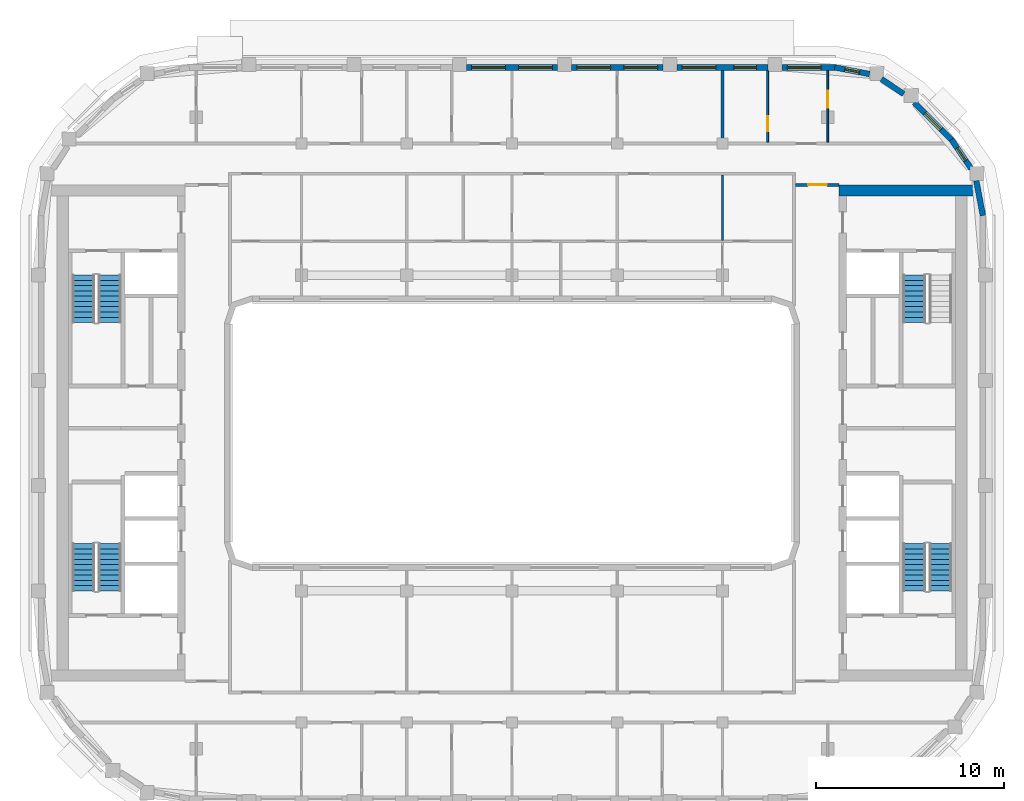
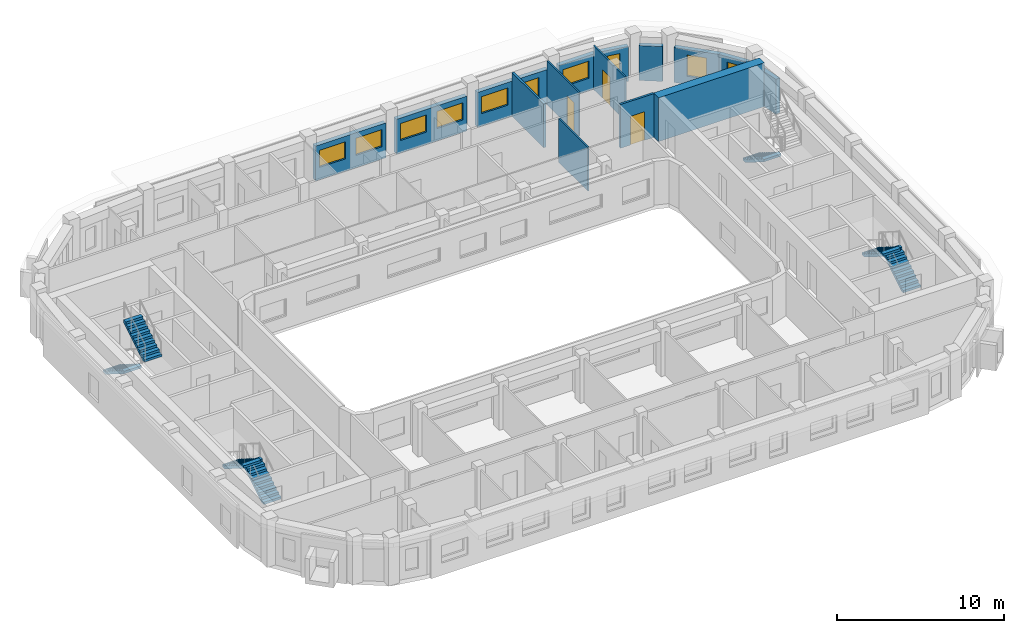
# One storey, part 8 of 16: 15 walls, 10 windows, 7 stair flights, 3 doors, 13 openings, 4 elements without a shape of their own.
"""IFC4 building model written with IfcOpenShell, lengths in metres."""

from ifc_helpers import new_model, si_unit, direction, frame, frame_2d, origin, place, context, subcontext, project, spatial, polyline, rectangle, outline, extrude, material, layer, layer_set, type_object, element, fill, aggregate, save


model = new_model("IFC4")

# Units and contexts
model_context = context("Model", 3, precision=1e-05, world=origin(), true_north=direction((0.0, 1.0)))
body_context = subcontext(model_context, "Body", "Model", "MODEL_VIEW")
ifc_project = project(units=[si_unit("LENGTHUNIT", "METRE"), si_unit("AREAUNIT", "SQUARE_METRE"), si_unit("VOLUMEUNIT", "CUBIC_METRE"), si_unit("PLANEANGLEUNIT", "RADIAN"), si_unit("MASSUNIT", "GRAM", prefix="KILO")], contexts=[model_context])

# Site, building, storey
site_placement = place(None, origin())
site = spatial("IfcSite", under=ifc_project, at=site_placement, CompositionType="ELEMENT")
building_placement = place(site_placement, origin())
building = spatial("IfcBuilding", under=site, at=building_placement, Name="Kiln Ring Residences", CompositionType="ELEMENT")
storey_placement = place(building_placement, frame((0.0, 0.0, 276.699951171875)))
storey = spatial("IfcBuildingStorey", under=building, at=storey_placement, Name="L72", CompositionType="ELEMENT", Elevation=276.699951171875)

# Walls
ifc_material_1 = material(Name="Concrete C60/75", Category="concrete")
ifc_layer_1 = layer(ifc_material_1, 0.60009765625)
ifc_layer_set_1 = layer_set([ifc_layer_1], Name="CORE-WALL-RC600")
wall_type_1 = type_object("IfcWallType", Name="CORE-WALL-RC600", PredefinedType="SHEAR", material=ifc_layer_set_1)
wall_1_placement = place(storey_placement, frame((17.39990234375, 12.89990234375, 0.0), z_axis=(0.0, 0.0, 1.0), x_axis=(1.0, 0.0, 0.0)))
element("IfcWall", 1, at=wall_1_placement, inside=storey, type_object=wall_type_1, Name="Core wall east L72 4", PredefinedType="SHEAR", context=body_context, shape_type="SweptSolid", body=[
    extrude(rectangle(XDim=7.320068359375, YDim=0.60009765625, at=frame_2d((3.66015625, 0.0))), origin(), (0.0, 0.0, 1.0), 3.199951171875),
])
ifc_material_2 = material(Name="Brick masonry, dark clay brick", Category="masonry")
ifc_layer_2 = layer(ifc_material_2, 0.300048828125)
ifc_layer_set_2 = layer_set([ifc_layer_2], Name="EW-300 BRICK WALL")
wall_type_2 = type_object("IfcWallType", Name="EW-300 BRICK WALL", PredefinedType="SOLIDWALL", material=ifc_layer_set_2)
wall_2_placement = place(storey_placement, frame((25.052734375, 11.57177734375, 0.0), z_axis=(0.0, 0.0, 1.0), x_axis=(-0.187398348234, 0.982284001233, 0.0)))
element("IfcWall", 2, at=wall_2_placement, inside=storey, type_object=wall_type_2, Name="Facade wall L72 21", PredefinedType="SOLIDWALL", context=body_context, shape_type="SweptSolid", body=[
    extrude(rectangle(XDim=1.88134765625, YDim=0.300048828125, at=frame_2d((0.940673828125, 0.0))), origin(), (0.0, 0.0, 1.0), 2.550048828125),
])

# Wall, opening, window
wall_3_placement = place(storey_placement, frame((24.436279296875, 14.056884765625, 0.0), z_axis=(0.0, 0.0, 1.0), x_axis=(-0.562075713892, 0.827085782645, 0.0)))
wall_3 = element("IfcWall", 3, at=wall_3_placement, inside=storey, type_object=wall_type_2, Name="Facade wall L72 22", PredefinedType="SOLIDWALL", context=body_context, shape_type="SweptSolid", body=[
    extrude(rectangle(XDim=1.881103515625, YDim=0.300048828125, at=frame_2d((0.9404296875, 0.0))), origin(), (0.0, 0.0, 1.0), 2.550048828125),
])
opening_1_placement = place(wall_3_placement, frame((0.54052734375, 0.0, 0.60009765625)))
opening_1 = element("IfcOpeningElement", 4, at=opening_1_placement, cuts=wall_3, Name="Opening W5", PredefinedType="OPENING", context=body_context, shape_type="SweptSolid", body=[
    extrude(rectangle(XDim=0.800048828125, YDim=1.550048828125, at=frame_2d((0.39990234375, 0.77490234375))), frame((0.0, 0.159912109375, 0.0), z_axis=(0.0, -1.0, 0.0), x_axis=(1.0, 0.0, 0.0)), (0.0, 0.0, 1.0), 0.320068359375),
])
ifc_material_3 = material(Name="Aluminium frame with double glazing", Category="aluminium")
window_type_1 = type_object("IfcWindowType", Name="WINDOW 800 x 1550", PartitioningType="SINGLE_PANEL", PredefinedType="WINDOW", material=ifc_material_3)
window_1_placement = place(opening_1_placement, origin())
window_1 = element("IfcWindow", 5, at=window_1_placement, inside=storey, type_object=window_type_1, Name="Window L72 18", OverallHeight=1.550048828125, OverallWidth=0.800048828125, PartitioningType="SINGLE_PANEL", PredefinedType="WINDOW", context=body_context, shape_type="SweptSolid", body=[
    extrude(rectangle(XDim=0.800048828125, YDim=1.550048828125, at=frame_2d((0.39990234375, 0.77490234375))), frame((0.0, 0.030029296875, 0.0), z_axis=(0.0, -1.0, 0.0), x_axis=(1.0, 0.0, 0.0)), (0.0, 0.0, 1.0), 0.06005859375),
])
fill(opening_1, window_1)

wall_4_placement = place(storey_placement, frame((23.39697265625, 15.591064453125, 0.0), z_axis=(0.0, 0.0, 1.0), x_axis=(-0.707106781187, 0.707106781187, 0.0)))
wall_4 = element("IfcWall", 6, at=wall_4_placement, inside=storey, type_object=wall_type_2, Name="Facade wall L72 23", PredefinedType="SOLIDWALL", context=body_context, shape_type="SweptSolid", body=[
    extrude(rectangle(XDim=2.824951171875, YDim=0.300048828125, at=frame_2d((1.41259765625, 0.0))), origin(), (0.0, 0.0, 1.0), 2.550048828125),
])
opening_2_placement = place(wall_4_placement, frame((0.8125, 0.0, 0.60009765625)))
opening_2 = element("IfcOpeningElement", 7, at=opening_2_placement, cuts=wall_4, Name="Opening W1", PredefinedType="OPENING", context=body_context, shape_type="SweptSolid", body=[
    extrude(rectangle(XDim=1.199951171875, YDim=1.550048828125, at=frame_2d((0.60009765625, 0.77490234375))), frame((0.0, 0.159912109375, 0.0), z_axis=(0.0, -1.0, 0.0), x_axis=(1.0, 0.0, 0.0)), (0.0, 0.0, 1.0), 0.320068359375),
])
ifc_material_4 = material(Name="Aluminium frame with double glazing", Category="aluminium")
window_type_2 = type_object("IfcWindowType", Name="WINDOW 1200 x 1550", PartitioningType="SINGLE_PANEL", PredefinedType="WINDOW", material=ifc_material_4)
window_2_placement = place(opening_2_placement, origin())
window_2 = element("IfcWindow", 8, at=window_2_placement, inside=storey, type_object=window_type_2, Name="Window L72 19", OverallHeight=1.550048828125, OverallWidth=1.199951171875, PartitioningType="SINGLE_PANEL", PredefinedType="WINDOW", context=body_context, shape_type="SweptSolid", body=[
    extrude(rectangle(XDim=1.199951171875, YDim=1.550048828125, at=frame_2d((0.60009765625, 0.77490234375))), frame((0.0, 0.030029296875, 0.0), z_axis=(0.0, -1.0, 0.0), x_axis=(1.0, 0.0, 0.0)), (0.0, 0.0, 1.0), 0.06005859375),
])
fill(opening_2, window_2)

# Wall
wall_5_placement = place(storey_placement, frame((20.837158203125, 18.0341796875, 0.0), z_axis=(0.0, 0.0, 1.0), x_axis=(-0.827095130818, 0.562061957952, 0.0)))
element("IfcWall", 9, at=wall_5_placement, inside=storey, type_object=wall_type_2, Name="Facade wall L72 24", PredefinedType="SOLIDWALL", context=body_context, shape_type="SweptSolid", body=[
    extrude(rectangle(XDim=1.427001953125, YDim=0.300048828125, at=frame_2d((0.71337890625, 0.0))), origin(), (0.0, 0.0, 1.0), 2.550048828125),
])

# Wall, opening, window
wall_6_placement = place(storey_placement, frame((19.019775390625, 19.10009765625, 0.0), z_axis=(0.0, 0.0, 1.0), x_axis=(-0.982284001233, 0.187398348234, 0.0)))
wall_6 = element("IfcWall", 10, at=wall_6_placement, inside=storey, type_object=wall_type_2, Name="Facade wall L72 25", PredefinedType="SOLIDWALL", context=body_context, shape_type="SweptSolid", body=[
    extrude(rectangle(XDim=1.88134765625, YDim=0.300048828125, at=frame_2d((0.940673828125, 0.0))), origin(), (0.0, 0.0, 1.0), 2.550048828125),
])
opening_3_placement = place(wall_6_placement, frame((0.54052734375, 0.0, 0.60009765625)))
opening_3 = element("IfcOpeningElement", 11, at=opening_3_placement, cuts=wall_6, Name="Opening W5", PredefinedType="OPENING", context=body_context, shape_type="SweptSolid", body=[
    extrude(rectangle(XDim=0.800048828125, YDim=1.550048828125, at=frame_2d((0.39990234375, 0.77490234375))), frame((0.0, 0.159912109375, 0.0), z_axis=(0.0, -1.0, 0.0), x_axis=(1.0, 0.0, 0.0)), (0.0, 0.0, 1.0), 0.320068359375),
])
window_3_placement = place(opening_3_placement, origin())
window_3 = element("IfcWindow", 12, at=window_3_placement, inside=storey, type_object=window_type_1, Name="Window L72 20", OverallHeight=1.550048828125, OverallWidth=0.800048828125, PartitioningType="SINGLE_PANEL", PredefinedType="WINDOW", context=body_context, shape_type="SweptSolid", body=[
    extrude(rectangle(XDim=0.800048828125, YDim=1.550048828125, at=frame_2d((0.39990234375, 0.77490234375))), frame((0.0, 0.030029296875, 0.0), z_axis=(0.0, -1.0, 0.0), x_axis=(1.0, 0.0, 0.0)), (0.0, 0.0, 1.0), 0.06005859375),
])
fill(opening_3, window_3)

wall_7_placement = place(storey_placement, frame((17.199951171875, 19.449951171875, 0.0), z_axis=(0.0, 0.0, 1.0), x_axis=(-1.0, 0.0, 0.0)))
wall_7 = element("IfcWall", 13, at=wall_7_placement, inside=storey, type_object=wall_type_2, Name="Facade wall L72 26", PredefinedType="SOLIDWALL", context=body_context, shape_type="SweptSolid", body=[
    extrude(rectangle(XDim=2.824951171875, YDim=0.300048828125, at=frame_2d((1.41259765625, 0.0))), origin(), (0.0, 0.0, 1.0), 2.550048828125),
])
opening_4_placement = place(wall_7_placement, frame((0.75, 0.0, 0.89990234375)))
opening_4 = element("IfcOpeningElement", 14, at=opening_4_placement, cuts=wall_7, Name="Opening W2", PredefinedType="OPENING", context=body_context, shape_type="SweptSolid", body=[
    extrude(rectangle(XDim=1.800048828125, YDim=1.25, at=frame_2d((0.89990234375, 0.625))), frame((0.0, 0.159912109375, 0.0), z_axis=(0.0, -1.0, 0.0), x_axis=(1.0, 0.0, 0.0)), (0.0, 0.0, 1.0), 0.320068359375),
])
ifc_material_5 = material(Name="Aluminium frame with double glazing", Category="aluminium")
window_type_3 = type_object("IfcWindowType", Name="WINDOW 1800 x 1250", PartitioningType="SINGLE_PANEL", PredefinedType="WINDOW", material=ifc_material_5)
window_4_placement = place(opening_4_placement, origin())
window_4 = element("IfcWindow", 15, at=window_4_placement, inside=storey, type_object=window_type_3, Name="Window L72 21", OverallHeight=1.25, OverallWidth=1.800048828125, PartitioningType="SINGLE_PANEL", PredefinedType="WINDOW", context=body_context, shape_type="SweptSolid", body=[
    extrude(rectangle(XDim=1.800048828125, YDim=1.25, at=frame_2d((0.89990234375, 0.625))), frame((0.0, 0.030029296875, 0.0), z_axis=(0.0, -1.0, 0.0), x_axis=(1.0, 0.0, 0.0)), (0.0, 0.0, 1.0), 0.06005859375),
])
fill(opening_4, window_4)

# Wall, openings, windows
wall_8_placement = place(storey_placement, frame((13.625, 19.449951171875, 0.0), z_axis=(0.0, 0.0, 1.0), x_axis=(-1.0, 0.0, 0.0)))
wall_8 = element("IfcWall", 16, at=wall_8_placement, inside=storey, type_object=wall_type_2, Name="Facade wall L72 27", PredefinedType="SOLIDWALL", context=body_context, shape_type="SweptSolid", body=[
    extrude(rectangle(XDim=4.85009765625, YDim=0.300048828125, at=frame_2d((2.425048828125, 0.0))), origin(), (0.0, 0.0, 1.0), 2.550048828125),
])
opening_5_placement = place(wall_8_placement, frame((0.625, 0.0, 0.60009765625)))
opening_5 = element("IfcOpeningElement", 17, at=opening_5_placement, cuts=wall_8, Name="Opening W1", PredefinedType="OPENING", context=body_context, shape_type="SweptSolid", body=[
    extrude(rectangle(XDim=1.199951171875, YDim=1.550048828125, at=frame_2d((0.60009765625, 0.77490234375))), frame((0.0, 0.159912109375, 0.0), z_axis=(0.0, -1.0, 0.0), x_axis=(1.0, 0.0, 0.0)), (0.0, 0.0, 1.0), 0.320068359375),
])
opening_6_placement = place(wall_8_placement, frame((2.77490234375, 0.0, 0.89990234375)))
opening_6 = element("IfcOpeningElement", 18, at=opening_6_placement, cuts=wall_8, Name="Opening W2", PredefinedType="OPENING", context=body_context, shape_type="SweptSolid", body=[
    extrude(rectangle(XDim=1.800048828125, YDim=1.25, at=frame_2d((0.89990234375, 0.625))), frame((0.0, 0.159912109375, 0.0), z_axis=(0.0, -1.0, 0.0), x_axis=(1.0, 0.0, 0.0)), (0.0, 0.0, 1.0), 0.320068359375),
])
window_5_placement = place(opening_5_placement, origin())
window_5 = element("IfcWindow", 19, at=window_5_placement, inside=storey, type_object=window_type_2, Name="Window L72 22", OverallHeight=1.550048828125, OverallWidth=1.199951171875, PartitioningType="SINGLE_PANEL", PredefinedType="WINDOW", context=body_context, shape_type="SweptSolid", body=[
    extrude(rectangle(XDim=1.199951171875, YDim=1.550048828125, at=frame_2d((0.60009765625, 0.77490234375))), frame((0.0, 0.030029296875, 0.0), z_axis=(0.0, -1.0, 0.0), x_axis=(1.0, 0.0, 0.0)), (0.0, 0.0, 1.0), 0.06005859375),
])
fill(opening_5, window_5)
window_6_placement = place(opening_6_placement, origin())
window_6 = element("IfcWindow", 20, at=window_6_placement, inside=storey, type_object=window_type_3, Name="Window L72 23", OverallHeight=1.25, OverallWidth=1.800048828125, PartitioningType="SINGLE_PANEL", PredefinedType="WINDOW", context=body_context, shape_type="SweptSolid", body=[
    extrude(rectangle(XDim=1.800048828125, YDim=1.25, at=frame_2d((0.89990234375, 0.625))), frame((0.0, 0.030029296875, 0.0), z_axis=(0.0, -1.0, 0.0), x_axis=(1.0, 0.0, 0.0)), (0.0, 0.0, 1.0), 0.06005859375),
])
fill(opening_6, window_6)

wall_9_placement = place(storey_placement, frame((8.02490234375, 19.449951171875, 0.0), z_axis=(0.0, 0.0, 1.0), x_axis=(-1.0, 0.0, 0.0)))
wall_9 = element("IfcWall", 21, at=wall_9_placement, inside=storey, type_object=wall_type_2, Name="Facade wall L72 28", PredefinedType="SOLIDWALL", context=body_context, shape_type="SweptSolid", body=[
    extrude(rectangle(XDim=4.849853515625, YDim=0.300048828125, at=frame_2d((2.4248046875, 0.0))), origin(), (0.0, 0.0, 1.0), 2.550048828125),
])
opening_7_placement = place(wall_9_placement, frame((0.27490234375, 0.0, 0.89990234375)))
opening_7 = element("IfcOpeningElement", 22, at=opening_7_placement, cuts=wall_9, Name="Opening W2", PredefinedType="OPENING", context=body_context, shape_type="SweptSolid", body=[
    extrude(rectangle(XDim=1.800048828125, YDim=1.25, at=frame_2d((0.89990234375, 0.625))), frame((0.0, 0.159912109375, 0.0), z_axis=(0.0, -1.0, 0.0), x_axis=(1.0, 0.0, 0.0)), (0.0, 0.0, 1.0), 0.320068359375),
])
opening_8_placement = place(wall_9_placement, frame((2.77490234375, 0.0, 0.89990234375)))
opening_8 = element("IfcOpeningElement", 23, at=opening_8_placement, cuts=wall_9, Name="Opening W2", PredefinedType="OPENING", context=body_context, shape_type="SweptSolid", body=[
    extrude(rectangle(XDim=1.800048828125, YDim=1.25, at=frame_2d((0.89990234375, 0.625))), frame((0.0, 0.159912109375, 0.0), z_axis=(0.0, -1.0, 0.0), x_axis=(1.0, 0.0, 0.0)), (0.0, 0.0, 1.0), 0.320068359375),
])
window_7_placement = place(opening_7_placement, origin())
window_7 = element("IfcWindow", 24, at=window_7_placement, inside=storey, type_object=window_type_3, Name="Window L72 24", OverallHeight=1.25, OverallWidth=1.800048828125, PartitioningType="SINGLE_PANEL", PredefinedType="WINDOW", context=body_context, shape_type="SweptSolid", body=[
    extrude(rectangle(XDim=1.800048828125, YDim=1.25, at=frame_2d((0.89990234375, 0.625))), frame((0.0, 0.030029296875, 0.0), z_axis=(0.0, -1.0, 0.0), x_axis=(1.0, 0.0, 0.0)), (0.0, 0.0, 1.0), 0.06005859375),
])
fill(opening_7, window_7)
window_8_placement = place(opening_8_placement, origin())
window_8 = element("IfcWindow", 25, at=window_8_placement, inside=storey, type_object=window_type_3, Name="Window L72 25", OverallHeight=1.25, OverallWidth=1.800048828125, PartitioningType="SINGLE_PANEL", PredefinedType="WINDOW", context=body_context, shape_type="SweptSolid", body=[
    extrude(rectangle(XDim=1.800048828125, YDim=1.25, at=frame_2d((0.89990234375, 0.625))), frame((0.0, 0.030029296875, 0.0), z_axis=(0.0, -1.0, 0.0), x_axis=(1.0, 0.0, 0.0)), (0.0, 0.0, 1.0), 0.06005859375),
])
fill(opening_8, window_8)

wall_10_placement = place(storey_placement, frame((2.425048828125, 19.449951171875, 0.0), z_axis=(0.0, 0.0, 1.0), x_axis=(-1.0, 0.0, 0.0)))
wall_10 = element("IfcWall", 26, at=wall_10_placement, inside=storey, type_object=wall_type_2, Name="Facade wall L72 29", PredefinedType="SOLIDWALL", context=body_context, shape_type="SweptSolid", body=[
    extrude(rectangle(XDim=4.85009765625, YDim=0.300048828125, at=frame_2d((2.425048828125, 0.0))), origin(), (0.0, 0.0, 1.0), 2.550048828125),
])
opening_9_placement = place(wall_10_placement, frame((0.27490234375, 0.0, 0.89990234375)))
opening_9 = element("IfcOpeningElement", 27, at=opening_9_placement, cuts=wall_10, Name="Opening W2", PredefinedType="OPENING", context=body_context, shape_type="SweptSolid", body=[
    extrude(rectangle(XDim=1.800048828125, YDim=1.25, at=frame_2d((0.89990234375, 0.625))), frame((0.0, 0.159912109375, 0.0), z_axis=(0.0, -1.0, 0.0), x_axis=(1.0, 0.0, 0.0)), (0.0, 0.0, 1.0), 0.320068359375),
])
opening_10_placement = place(wall_10_placement, frame((2.77490234375, 0.0, 0.89990234375)))
opening_10 = element("IfcOpeningElement", 28, at=opening_10_placement, cuts=wall_10, Name="Opening W2", PredefinedType="OPENING", context=body_context, shape_type="SweptSolid", body=[
    extrude(rectangle(XDim=1.800048828125, YDim=1.25, at=frame_2d((0.89990234375, 0.625))), frame((0.0, 0.159912109375, 0.0), z_axis=(0.0, -1.0, 0.0), x_axis=(1.0, 0.0, 0.0)), (0.0, 0.0, 1.0), 0.320068359375),
])
window_9_placement = place(opening_9_placement, origin())
window_9 = element("IfcWindow", 29, at=window_9_placement, inside=storey, type_object=window_type_3, Name="Window L72 26", OverallHeight=1.25, OverallWidth=1.800048828125, PartitioningType="SINGLE_PANEL", PredefinedType="WINDOW", context=body_context, shape_type="SweptSolid", body=[
    extrude(rectangle(XDim=1.800048828125, YDim=1.25, at=frame_2d((0.89990234375, 0.625))), frame((0.0, 0.030029296875, 0.0), z_axis=(0.0, -1.0, 0.0), x_axis=(1.0, 0.0, 0.0)), (0.0, 0.0, 1.0), 0.06005859375),
])
fill(opening_9, window_9)
window_10_placement = place(opening_10_placement, origin())
window_10 = element("IfcWindow", 30, at=window_10_placement, inside=storey, type_object=window_type_3, Name="Window L72 27", OverallHeight=1.25, OverallWidth=1.800048828125, PartitioningType="SINGLE_PANEL", PredefinedType="WINDOW", context=body_context, shape_type="SweptSolid", body=[
    extrude(rectangle(XDim=1.800048828125, YDim=1.25, at=frame_2d((0.89990234375, 0.625))), frame((0.0, 0.030029296875, 0.0), z_axis=(0.0, -1.0, 0.0), x_axis=(1.0, 0.0, 0.0)), (0.0, 0.0, 1.0), 0.06005859375),
])
fill(opening_10, window_10)

# Wall
ifc_material_6 = material(Name="Gypsum board on steel studs", Category="steel")
ifc_layer_3 = layer(ifc_material_6, 0.10009765625)
ifc_layer_set_3 = layer_set([ifc_layer_3], Name="PARTITION-100")
wall_type_3 = type_object("IfcWallType", Name="PARTITION-100", PredefinedType="PARTITIONING", material=ifc_layer_set_3)
wall_11_placement = place(storey_placement, frame((11.199951171875, 10.25, 0.0), z_axis=(0.0, 0.0, 1.0), x_axis=(0.0, 1.0, 0.0)))
element("IfcWall", 31, at=wall_11_placement, inside=storey, type_object=wall_type_3, Name="Partition 043", PredefinedType="PARTITIONING", context=body_context, shape_type="SweptSolid", body=[
    extrude(rectangle(XDim=3.47509765625, YDim=0.10009765625, at=frame_2d((1.737548828125, 0.0))), origin(), (0.0, 0.0, 1.0), 3.199951171875),
])

# Wall, opening, door
wall_12_placement = place(storey_placement, frame((13.60009765625, 15.47509765625, 0.0), z_axis=(0.0, 0.0, 1.0), x_axis=(0.0, 1.0, 0.0)))
wall_12 = element("IfcWall", 32, at=wall_12_placement, inside=storey, type_object=wall_type_3, Name="Partition 045", PredefinedType="PARTITIONING", context=body_context, shape_type="SweptSolid", body=[
    extrude(rectangle(XDim=3.804931640625, YDim=0.10009765625, at=frame_2d((1.90234375, 0.0))), origin(), (0.0, 0.0, 1.0), 3.199951171875),
])
opening_11_placement = place(wall_12_placement, frame((0.5849609375, 0.0, 0.0)))
opening_11 = element("IfcOpeningElement", 33, at=opening_11_placement, cuts=wall_12, Name="Opening L72-D028", PredefinedType="OPENING", context=body_context, shape_type="SweptSolid", body=[
    extrude(rectangle(XDim=0.800048828125, YDim=2.10009765625, at=frame_2d((0.39990234375, 1.050048828125))), frame((0.0, 0.06005859375, 0.0), z_axis=(0.0, -1.0, 0.0), x_axis=(1.0, 0.0, 0.0)), (0.0, 0.0, 1.0), 0.1201171875),
])
ifc_material_7 = material(Name="Timber door leaf", Category="wood")
door_type_1 = type_object("IfcDoorType", Name="FLAT-DOOR-800-PL", OperationType="SINGLE_SWING_LEFT", PredefinedType="DOOR", material=ifc_material_7)
door_1_placement = place(opening_11_placement, origin())
door_1 = element("IfcDoor", 34, at=door_1_placement, inside=storey, type_object=door_type_1, Name="Door L72-D028", OperationType="SINGLE_SWING_RIGHT", OverallHeight=2.10009765625, OverallWidth=0.800048828125, PredefinedType="DOOR", context=body_context, shape_type="SweptSolid", body=[
    extrude(rectangle(XDim=0.800048828125, YDim=2.10009765625, at=frame_2d((0.39990234375, 1.050048828125))), frame((0.0, 0.02490234375, 0.0), z_axis=(0.0, -1.0, 0.0), x_axis=(1.0, 0.0, 0.0)), (0.0, 0.0, 1.0), 0.050048828125),
])
fill(opening_11, door_1)

wall_13_placement = place(storey_placement, frame((16.800048828125, 15.47509765625, 0.0), z_axis=(0.0, 0.0, 1.0), x_axis=(0.0, 1.0, 0.0)))
wall_13 = element("IfcWall", 35, at=wall_13_placement, inside=storey, type_object=wall_type_3, Name="Partition 049", PredefinedType="PARTITIONING", context=body_context, shape_type="SweptSolid", body=[
    extrude(rectangle(XDim=3.804931640625, YDim=0.10009765625, at=frame_2d((1.90234375, 0.0))), origin(), (0.0, 0.0, 1.0), 3.199951171875),
])
opening_12_placement = place(wall_13_placement, frame((1.825927734375, 0.0, 0.0)))
opening_12 = element("IfcOpeningElement", 36, at=opening_12_placement, cuts=wall_13, Name="Opening L72-D029", PredefinedType="OPENING", context=body_context, shape_type="SweptSolid", body=[
    extrude(rectangle(XDim=0.89990234375, YDim=2.10009765625, at=frame_2d((0.449951171875, 1.050048828125))), frame((0.0, 0.06005859375, 0.0), z_axis=(0.0, -1.0, 0.0), x_axis=(1.0, 0.0, 0.0)), (0.0, 0.0, 1.0), 0.1201171875),
])
ifc_material_8 = material(Name="Timber door leaf", Category="wood")
door_type_2 = type_object("IfcDoorType", Name="FLAT-DOOR-900-PL", OperationType="SINGLE_SWING_LEFT", PredefinedType="DOOR", material=ifc_material_8)
door_2_placement = place(opening_12_placement, origin())
door_2 = element("IfcDoor", 37, at=door_2_placement, inside=storey, type_object=door_type_2, Name="Door L72-D029", OperationType="SINGLE_SWING_RIGHT", OverallHeight=2.10009765625, OverallWidth=0.89990234375, PredefinedType="DOOR", context=body_context, shape_type="SweptSolid", body=[
    extrude(rectangle(XDim=0.89990234375, YDim=2.10009765625, at=frame_2d((0.449951171875, 1.050048828125))), frame((0.0, 0.02490234375, 0.0), z_axis=(0.0, -1.0, 0.0), x_axis=(1.0, 0.0, 0.0)), (0.0, 0.0, 1.0), 0.050048828125),
])
fill(opening_12, door_2)

ifc_material_9 = material(Name="Brick masonry partition", Category="masonry")
ifc_layer_4 = layer(ifc_material_9, 0.14990234375)
ifc_layer_set_4 = layer_set([ifc_layer_4], Name="PARTITION-150-ei60")
wall_type_4 = type_object("IfcWallType", Name="PARTITION-150-ei60", PredefinedType="PARTITIONING", material=ifc_layer_set_4)
wall_14_placement = place(storey_placement, frame((15.074951171875, 13.199951171875, 0.0), z_axis=(0.0, 0.0, 1.0), x_axis=(1.0, 0.0, 0.0)))
wall_14 = element("IfcWall", 38, at=wall_14_placement, inside=storey, type_object=wall_type_4, Name="Partition 006", PredefinedType="PARTITIONING", context=body_context, shape_type="SweptSolid", body=[
    extrude(rectangle(XDim=2.324951171875, YDim=0.14990234375, at=frame_2d((1.16259765625, 0.0))), origin(), (0.0, 0.0, 1.0), 3.199951171875),
])
opening_13_placement = place(wall_14_placement, frame((0.675048828125, 0.0, 0.0)))
opening_13 = element("IfcOpeningElement", 39, at=opening_13_placement, cuts=wall_14, Name="Opening L72-D002", PredefinedType="OPENING", context=body_context, shape_type="SweptSolid", body=[
    extrude(rectangle(XDim=1.0, YDim=2.10009765625, at=frame_2d((0.5, 1.050048828125))), frame((0.0, 0.0849609375, 0.0), z_axis=(0.0, -1.0, 0.0), x_axis=(1.0, 0.0, 0.0)), (0.0, 0.0, 1.0), 0.169921875),
])
ifc_material_10 = material(Name="Steel faced fire door leaf", Category="steel")
door_type_3 = type_object("IfcDoorType", Name="FLAT-DOOR-1000-FR", OperationType="SINGLE_SWING_LEFT", PredefinedType="DOOR", material=ifc_material_10)
door_3_placement = place(opening_13_placement, origin())
door_3 = element("IfcDoor", 40, at=door_3_placement, inside=storey, type_object=door_type_3, Name="Door L72-D002", OperationType="SINGLE_SWING_LEFT", OverallHeight=2.10009765625, OverallWidth=1.0, PredefinedType="DOOR", context=body_context, shape_type="SweptSolid", body=[
    extrude(rectangle(XDim=1.0, YDim=2.10009765625, at=frame_2d((0.5, 1.050048828125))), frame((0.0, 0.02490234375, 0.0), z_axis=(0.0, -1.0, 0.0), x_axis=(1.0, 0.0, 0.0)), (0.0, 0.0, 1.0), 0.050048828125),
])
fill(opening_13, door_3)

# Wall
wall_15_placement = place(storey_placement, frame((11.199951171875, 15.47509765625, 0.0), z_axis=(0.0, 0.0, 1.0), x_axis=(0.0, 1.0, 0.0)))
element("IfcWall", 41, at=wall_15_placement, inside=storey, type_object=wall_type_4, Name="Partition 044", PredefinedType="PARTITIONING", context=body_context, shape_type="SweptSolid", body=[
    extrude(rectangle(XDim=3.804931640625, YDim=0.14990234375, at=frame_2d((1.90234375, 0.0))), origin(), (0.0, 0.0, 1.0), 3.199951171875),
])

# Stair, stair flights
ifc_material_11 = material(Name="Concrete C40/50", Category="concrete")
stair_type = type_object("IfcStairType", Name="CORE-STAIR", PredefinedType="HALF_TURN_STAIR", material=ifc_material_11)
placement = place(storey_placement, origin())
stair_1 = element("IfcStair", 42, at=placement, inside=storey, type_object=stair_type, Name="L72 stair W-STN", PredefinedType="HALF_TURN_STAIR")
ifc_material_12 = material(Name="Concrete C40/50", Category="concrete")
stair_flight_type = type_object("IfcStairFlightType", Name="CORE-STAIR-FLIGHT", PredefinedType="STRAIGHT", material=ifc_material_12)
stair_flight_1_placement = place(storey_placement, frame((-22.800048828125, 8.39990234375, 0.0), z_axis=(0.0, 0.0, 1.0), x_axis=(0.0, -1.0, 0.0)))
stair_flight_1 = element("IfcStairFlight", 43, at=stair_flight_1_placement, type_object=stair_flight_type, Name="W-STN flight 1", NumberOfRisers=10, NumberOfTreads=9, PredefinedType="STRAIGHT", RiserHeight=0.175, TreadLength=0.28, context=body_context, shape_type="SweptSolid", body=[
    extrude(outline(polyline([(0.0, 0.0), (0.0, 0.175048828125), (0.280029296875, 0.175048828125), (0.280029296875, 0.35009765625), (0.56005859375, 0.35009765625), (0.56005859375, 0.52490234375), (0.840087890625, 0.52490234375), (0.840087890625, 0.699951171875), (1.1201171875, 0.699951171875), (1.1201171875, 0.875), (1.39990234375, 0.875), (1.39990234375, 1.050048828125), (1.679931640625, 1.050048828125), (1.679931640625, 1.22509765625), (1.9599609375, 1.22509765625), (1.9599609375, 1.39990234375), (2.239990234375, 1.39990234375), (2.239990234375, 1.574951171875), (2.52001953125, 1.574951171875), (2.52001953125, 1.75), (2.52001953125, 1.398193359375), (0.28271484375, 0.0), (0.0, 0.0)])), frame((0.0, 0.60009765625, 0.0), z_axis=(0.0, -1.0, 0.0), x_axis=(1.0, 0.0, 0.0)), (0.0, 0.0, 1.0), 1.199951171875),
])
stair_flight_2_placement = place(storey_placement, frame((-21.39990234375, 5.8798828125, 1.75), z_axis=(0.0, 0.0, 1.0), x_axis=(0.0, 1.0, 0.0)))
stair_flight_2 = element("IfcStairFlight", 44, at=stair_flight_2_placement, type_object=stair_flight_type, Name="W-STN flight 2", NumberOfRisers=10, NumberOfTreads=9, PredefinedType="STRAIGHT", RiserHeight=0.175, TreadLength=0.28, context=body_context, shape_type="SweptSolid", body=[
    extrude(outline(polyline([(0.0, 0.0), (0.0, 0.175048828125), (0.280029296875, 0.175048828125), (0.280029296875, 0.35009765625), (0.56005859375, 0.35009765625), (0.56005859375, 0.52490234375), (0.840087890625, 0.52490234375), (0.840087890625, 0.699951171875), (1.1201171875, 0.699951171875), (1.1201171875, 0.875), (1.39990234375, 0.875), (1.39990234375, 1.050048828125), (1.679931640625, 1.050048828125), (1.679931640625, 1.22509765625), (1.9599609375, 1.22509765625), (1.9599609375, 1.39990234375), (2.239990234375, 1.39990234375), (2.239990234375, 1.574951171875), (2.52001953125, 1.574951171875), (2.52001953125, 1.75), (2.52001953125, 1.398193359375), (0.28271484375, 0.0), (0.0, 0.0)])), frame((0.0, 0.60009765625, 0.0), z_axis=(0.0, -1.0, 0.0), x_axis=(1.0, 0.0, 0.0)), (0.0, 0.0, 1.0), 1.199951171875),
])
aggregate(stair_1, [stair_flight_1, stair_flight_2])

stair_2 = element("IfcStair", 45, at=placement, inside=storey, type_object=stair_type, Name="L72 stair W-STS", PredefinedType="HALF_TURN_STAIR")
stair_flight_3_placement = place(storey_placement, frame((-21.39990234375, -8.39990234375, 0.0), z_axis=(0.0, 0.0, 1.0), x_axis=(0.0, 1.0, 0.0)))
stair_flight_3 = element("IfcStairFlight", 46, at=stair_flight_3_placement, type_object=stair_flight_type, Name="W-STS flight 1", NumberOfRisers=10, NumberOfTreads=9, PredefinedType="STRAIGHT", RiserHeight=0.175, TreadLength=0.28, context=body_context, shape_type="SweptSolid", body=[
    extrude(outline(polyline([(0.0, 0.0), (0.0, 0.175048828125), (0.280029296875, 0.175048828125), (0.280029296875, 0.35009765625), (0.56005859375, 0.35009765625), (0.56005859375, 0.52490234375), (0.840087890625, 0.52490234375), (0.840087890625, 0.699951171875), (1.1201171875, 0.699951171875), (1.1201171875, 0.875), (1.39990234375, 0.875), (1.39990234375, 1.050048828125), (1.679931640625, 1.050048828125), (1.679931640625, 1.22509765625), (1.9599609375, 1.22509765625), (1.9599609375, 1.39990234375), (2.239990234375, 1.39990234375), (2.239990234375, 1.574951171875), (2.52001953125, 1.574951171875), (2.52001953125, 1.75), (2.52001953125, 1.398193359375), (0.28271484375, 0.0), (0.0, 0.0)])), frame((0.0, 0.60009765625, 0.0), z_axis=(0.0, -1.0, 0.0), x_axis=(1.0, 0.0, 0.0)), (0.0, 0.0, 1.0), 1.199951171875),
])
stair_flight_4_placement = place(storey_placement, frame((-22.800048828125, -5.8798828125, 1.75), z_axis=(0.0, 0.0, 1.0), x_axis=(0.0, -1.0, 0.0)))
stair_flight_4 = element("IfcStairFlight", 47, at=stair_flight_4_placement, type_object=stair_flight_type, Name="W-STS flight 2", NumberOfRisers=10, NumberOfTreads=9, PredefinedType="STRAIGHT", RiserHeight=0.175, TreadLength=0.28, context=body_context, shape_type="SweptSolid", body=[
    extrude(outline(polyline([(0.0, 0.0), (0.0, 0.175048828125), (0.280029296875, 0.175048828125), (0.280029296875, 0.35009765625), (0.56005859375, 0.35009765625), (0.56005859375, 0.52490234375), (0.840087890625, 0.52490234375), (0.840087890625, 0.699951171875), (1.1201171875, 0.699951171875), (1.1201171875, 0.875), (1.39990234375, 0.875), (1.39990234375, 1.050048828125), (1.679931640625, 1.050048828125), (1.679931640625, 1.22509765625), (1.9599609375, 1.22509765625), (1.9599609375, 1.39990234375), (2.239990234375, 1.39990234375), (2.239990234375, 1.574951171875), (2.52001953125, 1.574951171875), (2.52001953125, 1.75), (2.52001953125, 1.398193359375), (0.28271484375, 0.0), (0.0, 0.0)])), frame((0.0, 0.60009765625, 0.0), z_axis=(0.0, -1.0, 0.0), x_axis=(1.0, 0.0, 0.0)), (0.0, 0.0, 1.0), 1.199951171875),
])
aggregate(stair_2, [stair_flight_3, stair_flight_4])

# Stair, stair flight
stair_3 = element("IfcStair", 48, at=placement, inside=storey, type_object=stair_type, Name="L72 stair E-STN", PredefinedType="HALF_TURN_STAIR")
stair_flight_5_placement = place(storey_placement, frame((21.39990234375, 8.39990234375, 0.0), z_axis=(0.0, 0.0, 1.0), x_axis=(0.0, -1.0, 0.0)))
stair_flight_5 = element("IfcStairFlight", 49, at=stair_flight_5_placement, type_object=stair_flight_type, Name="E-STN flight 1", NumberOfRisers=10, NumberOfTreads=9, PredefinedType="STRAIGHT", RiserHeight=0.175, TreadLength=0.28, context=body_context, shape_type="SweptSolid", body=[
    extrude(outline(polyline([(0.0, 0.0), (0.0, 0.175048828125), (0.280029296875, 0.175048828125), (0.280029296875, 0.35009765625), (0.56005859375, 0.35009765625), (0.56005859375, 0.52490234375), (0.840087890625, 0.52490234375), (0.840087890625, 0.699951171875), (1.1201171875, 0.699951171875), (1.1201171875, 0.875), (1.39990234375, 0.875), (1.39990234375, 1.050048828125), (1.679931640625, 1.050048828125), (1.679931640625, 1.22509765625), (1.9599609375, 1.22509765625), (1.9599609375, 1.39990234375), (2.239990234375, 1.39990234375), (2.239990234375, 1.574951171875), (2.52001953125, 1.574951171875), (2.52001953125, 1.75), (2.52001953125, 1.398193359375), (0.28271484375, 0.0), (0.0, 0.0)])), frame((0.0, 0.60009765625, 0.0), z_axis=(0.0, -1.0, 0.0), x_axis=(1.0, 0.0, 0.0)), (0.0, 0.0, 1.0), 1.199951171875),
])
aggregate(stair_3, [stair_flight_5])

# Stair, stair flights
stair_4 = element("IfcStair", 50, at=placement, inside=storey, type_object=stair_type, Name="L72 stair E-STS", PredefinedType="HALF_TURN_STAIR")
stair_flight_6_placement = place(storey_placement, frame((22.800048828125, -8.39990234375, 0.0), z_axis=(0.0, 0.0, 1.0), x_axis=(0.0, 1.0, 0.0)))
stair_flight_6 = element("IfcStairFlight", 51, at=stair_flight_6_placement, type_object=stair_flight_type, Name="E-STS flight 1", NumberOfRisers=10, NumberOfTreads=9, PredefinedType="STRAIGHT", RiserHeight=0.175, TreadLength=0.28, context=body_context, shape_type="SweptSolid", body=[
    extrude(outline(polyline([(0.0, 0.0), (0.0, 0.175048828125), (0.280029296875, 0.175048828125), (0.280029296875, 0.35009765625), (0.56005859375, 0.35009765625), (0.56005859375, 0.52490234375), (0.840087890625, 0.52490234375), (0.840087890625, 0.699951171875), (1.1201171875, 0.699951171875), (1.1201171875, 0.875), (1.39990234375, 0.875), (1.39990234375, 1.050048828125), (1.679931640625, 1.050048828125), (1.679931640625, 1.22509765625), (1.9599609375, 1.22509765625), (1.9599609375, 1.39990234375), (2.239990234375, 1.39990234375), (2.239990234375, 1.574951171875), (2.52001953125, 1.574951171875), (2.52001953125, 1.75), (2.52001953125, 1.398193359375), (0.28271484375, 0.0), (0.0, 0.0)])), frame((0.0, 0.60009765625, 0.0), z_axis=(0.0, -1.0, 0.0), x_axis=(1.0, 0.0, 0.0)), (0.0, 0.0, 1.0), 1.199951171875),
])
stair_flight_7_placement = place(storey_placement, frame((21.39990234375, -5.8798828125, 1.75), z_axis=(0.0, 0.0, 1.0), x_axis=(0.0, -1.0, 0.0)))
stair_flight_7 = element("IfcStairFlight", 52, at=stair_flight_7_placement, type_object=stair_flight_type, Name="E-STS flight 2", NumberOfRisers=10, NumberOfTreads=9, PredefinedType="STRAIGHT", RiserHeight=0.175, TreadLength=0.28, context=body_context, shape_type="SweptSolid", body=[
    extrude(outline(polyline([(0.0, 0.0), (0.0, 0.175048828125), (0.280029296875, 0.175048828125), (0.280029296875, 0.35009765625), (0.56005859375, 0.35009765625), (0.56005859375, 0.52490234375), (0.840087890625, 0.52490234375), (0.840087890625, 0.699951171875), (1.1201171875, 0.699951171875), (1.1201171875, 0.875), (1.39990234375, 0.875), (1.39990234375, 1.050048828125), (1.679931640625, 1.050048828125), (1.679931640625, 1.22509765625), (1.9599609375, 1.22509765625), (1.9599609375, 1.39990234375), (2.239990234375, 1.39990234375), (2.239990234375, 1.574951171875), (2.52001953125, 1.574951171875), (2.52001953125, 1.75), (2.52001953125, 1.398193359375), (0.28271484375, 0.0), (0.0, 0.0)])), frame((0.0, 0.60009765625, 0.0), z_axis=(0.0, -1.0, 0.0), x_axis=(1.0, 0.0, 0.0)), (0.0, 0.0, 1.0), 1.199951171875),
])
aggregate(stair_4, [stair_flight_6, stair_flight_7])

save(model, "model.ifc")
